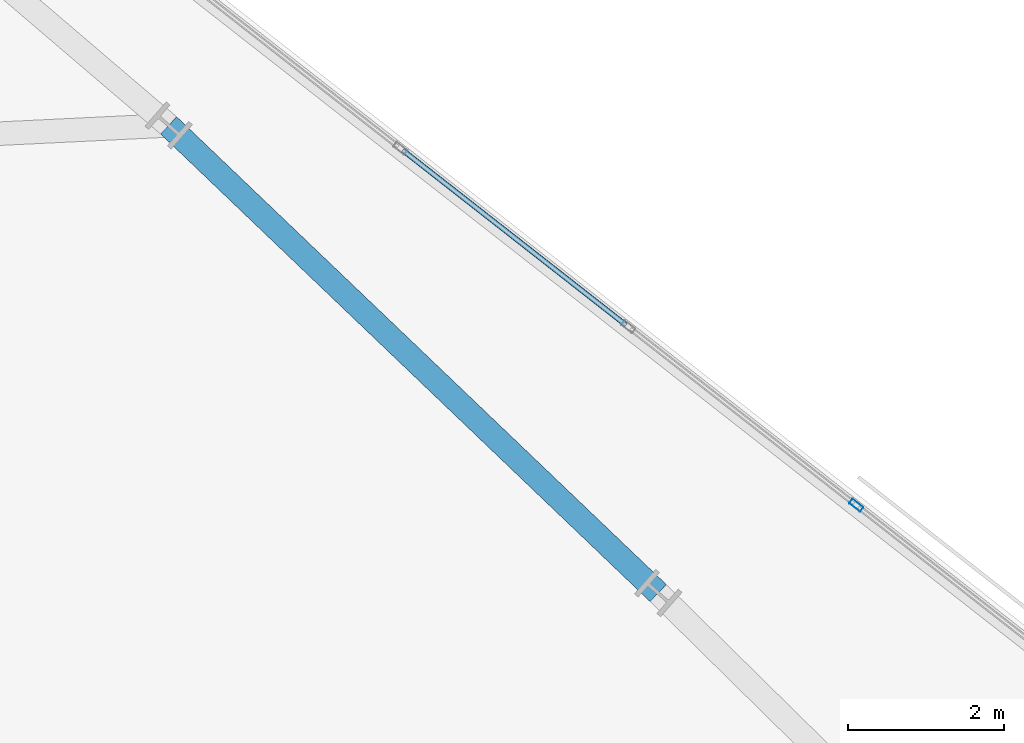
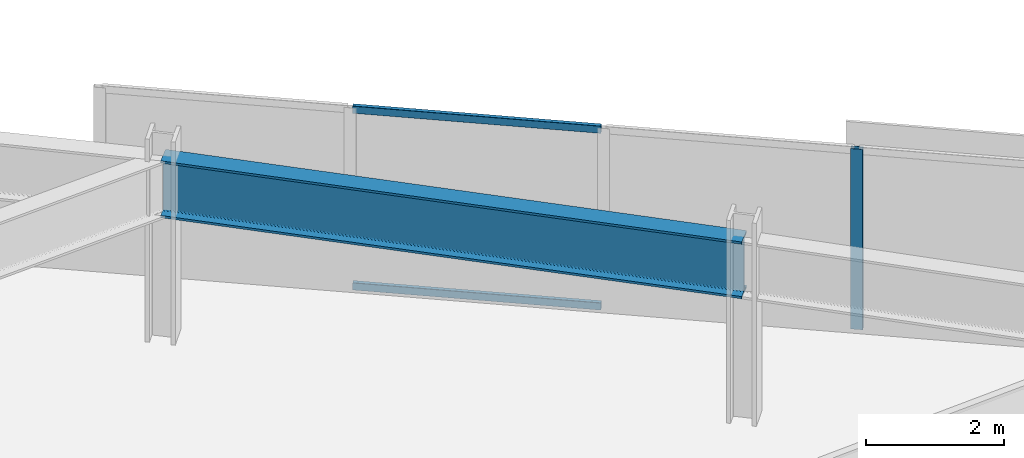
# One storey, part 4 of 15: 3 members, 1 beam, 1 element without a shape of its own.
"""IFC4 building model written with IfcOpenShell, lengths in metres."""

from ifc_helpers import new_model, si_unit, direction, frame, origin, origin_2d, place, context, subcontext, project, spatial, hollow_rectangle, i_section, extrude, material, material_profile, profile_set, type_object, element, aggregate, save


model = new_model("IFC4")

# Units and contexts
model_context = context("Model", 3, precision=1e-05, world=origin(), true_north=direction((0.0, 1.0)))
body_context = subcontext(model_context, "Body", "Model", "MODEL_VIEW")
ifc_project = project(units=[si_unit("LENGTHUNIT", "METRE"), si_unit("AREAUNIT", "SQUARE_METRE"), si_unit("VOLUMEUNIT", "CUBIC_METRE"), si_unit("PLANEANGLEUNIT", "RADIAN"), si_unit("MASSUNIT", "GRAM", prefix="KILO")], contexts=[model_context])

# Site, building, storey
site_placement = place(None, origin())
site = spatial("IfcSite", under=ifc_project, at=site_placement, CompositionType="ELEMENT")
building_placement = place(site_placement, origin())
building = spatial("IfcBuilding", under=site, at=building_placement, Name="Narakoshi Arena Tower", CompositionType="ELEMENT")
storey_placement = place(building_placement, frame((0.0, 0.0, 92.10009765625)))
storey = spatial("IfcBuildingStorey", under=building, at=storey_placement, Name="L24", CompositionType="ELEMENT", Elevation=92.10009765625)

# Beam
ifc_material_1 = material(Name="Structural steel S460ML", Category="steel")
ifc_material_profile_1 = material_profile(ifc_material_1, i_section(OverallWidth=0.302001953125, OverallDepth=1.008056640625, WebThickness=0.02099609375, FlangeThickness=0.0400390625, FilletRadius=0.030029296875, at=origin_2d()), Name="HE1000M")
ifc_profile_set_1 = profile_set([ifc_material_profile_1], Name="Structural steel S460ML")
beam_type = type_object("IfcBeamType", Name="BM-XFER-1000", PredefinedType="BEAM", material=ifc_profile_set_1)
beam_placement = place(storey_placement, frame((100.76318359375, 50.931640625, 2.69580078125), z_axis=(-0.723088904438, 0.690754975572, 0.0), x_axis=(-0.690754975572, -0.723088904438, 0.0)))
element("IfcBeam", 1, at=beam_placement, inside=storey, type_object=beam_type, Name="L24 Block-Turn Transfer Chord Girder 06", PredefinedType="BEAM", context=body_context, shape_type="SweptSolid", body=[
    extrude(i_section(OverallWidth=0.302001953125, OverallDepth=1.008056640625, WebThickness=0.02099609375, FlangeThickness=0.0400390625, FilletRadius=0.030029296875, at=origin_2d()), origin(), (0.0, 0.0, 1.0), 8.690673828125),
])

# Curtain wall, members
ifc_material_2 = material(Name="Anodised bronze aluminium 6063-T6", Category="aluminium")
curtain_wall_type = type_object("IfcCurtainWallType", Name="CW-HYP-LOW", PredefinedType="NOTDEFINED", material=ifc_material_2)
curtain_wall_placement = place(storey_placement, origin())
curtain_wall = element("IfcCurtainWall", 2, at=curtain_wall_placement, inside=storey, type_object=curtain_wall_type, Name="L24 Folded Hypotenuse Curtain Wall 1-1", PredefinedType="NOTDEFINED")
ifc_material_profile_2 = material_profile(ifc_material_2, hollow_rectangle(XDim=0.074951171875, YDim=0.179931640625, WallThickness=0.00390625, OuterFilletRadius=0.0048828125, at=origin_2d()), Name="MUL180x75x4")
ifc_profile_set_2 = profile_set([ifc_material_profile_2], Name="Anodised bronze aluminium 6063-T6")
member_type_1 = type_object("IfcMemberType", Name="MEM-MUL-180", PredefinedType="MULLION", material=ifc_profile_set_2)
member_1_placement = place(storey_placement, frame((103.3056640625, 52.05810546875, 0.0), z_axis=(0.0, 0.0, 1.0), x_axis=(-0.616456832822, -0.787388705321, 0.0)))
member_1 = element("IfcMember", 3, at=member_1_placement, type_object=member_type_1, Name="CW-01 mullion 7", PredefinedType="MULLION", context=body_context, shape_type="SweptSolid", body=[
    extrude(hollow_rectangle(XDim=0.074951171875, YDim=0.179931640625, WallThickness=0.00390625, OuterFilletRadius=0.0048828125, at=origin_2d()), origin(), (0.0, 0.0, 1.0), 3.199951171875),
])
ifc_material_profile_3 = material_profile(ifc_material_2, hollow_rectangle(XDim=0.06494140625, YDim=0.1298828125, WallThickness=0.00390625, OuterFilletRadius=0.0048828125, at=origin_2d()), Name="TRN130x65x4")
ifc_profile_set_3 = profile_set([ifc_material_profile_3], Name="Anodised bronze aluminium 6063-T6")
member_type_2 = type_object("IfcMemberType", Name="MEM-TRN-130", PredefinedType="USERDEFINED", material=ifc_profile_set_3)
member_2_placement = place(storey_placement, frame((100.35009765625, 54.3720703125, 0.032470703125), z_axis=(-0.787380472788, 0.616467347936, 0.0), x_axis=(-0.616467347936, -0.787380472788, 0.0)))
member_2 = element("IfcMember", 4, at=member_2_placement, type_object=member_type_2, Name="CW-01 transom 8.1", ObjectType="TRANSOM", PredefinedType="USERDEFINED", context=body_context, shape_type="SweptSolid", body=[
    extrude(hollow_rectangle(XDim=0.06494140625, YDim=0.1298828125, WallThickness=0.00390625, OuterFilletRadius=0.0048828125, at=origin_2d()), origin(), (0.0, 0.0, 1.0), 3.64111328125),
])
member_3_placement = place(storey_placement, frame((100.35009765625, 54.3720703125, 3.16748046875), z_axis=(-0.787380472788, 0.616467347936, 0.0), x_axis=(-0.616467347936, -0.787380472788, 0.0)))
member_3 = element("IfcMember", 5, at=member_3_placement, type_object=member_type_2, Name="CW-01 transom 8.2", ObjectType="TRANSOM", PredefinedType="USERDEFINED", context=body_context, shape_type="SweptSolid", body=[
    extrude(hollow_rectangle(XDim=0.06494140625, YDim=0.1298828125, WallThickness=0.00390625, OuterFilletRadius=0.0048828125, at=origin_2d()), origin(), (0.0, 0.0, 1.0), 3.64111328125),
])
aggregate(curtain_wall, [member_1, member_2, member_3])

save(model, "model.ifc")
